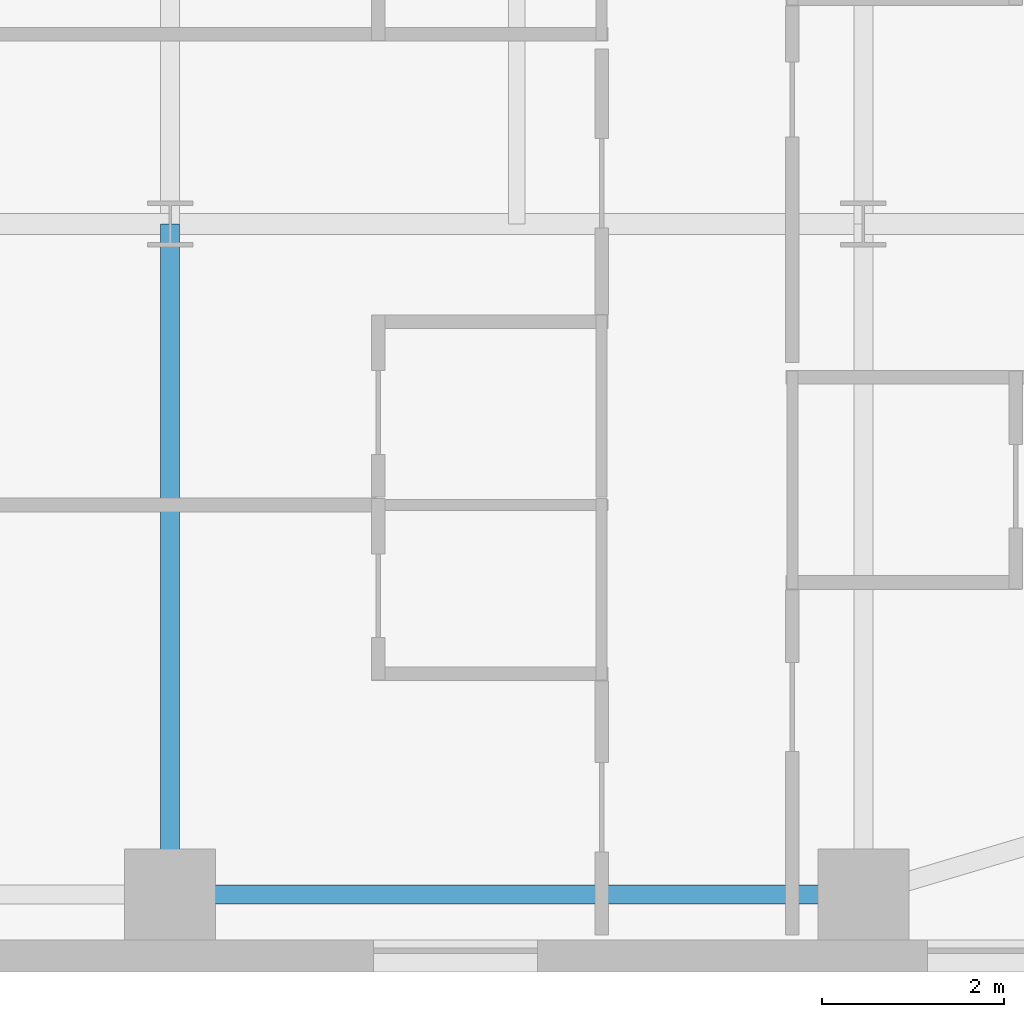
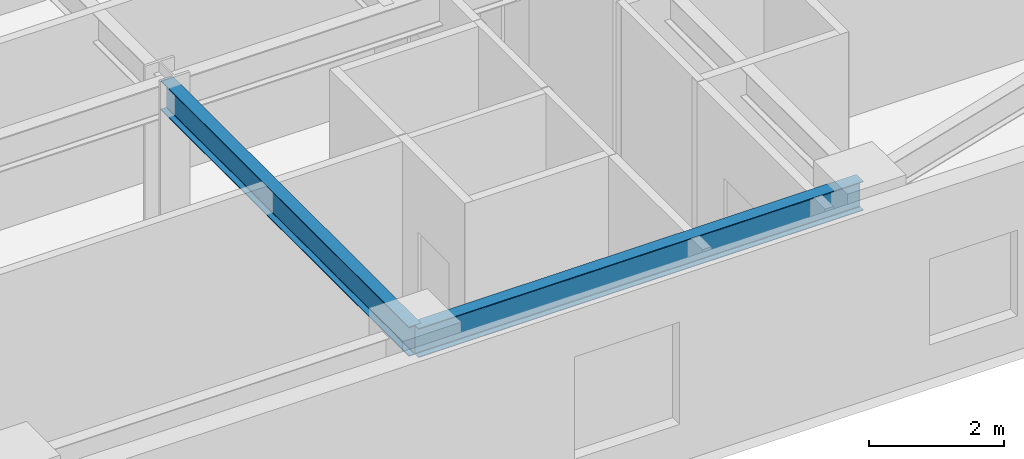
# One storey, part 6 of 17: 2 beams.
"""IFC4 building model written with IfcOpenShell, lengths in metres."""

from ifc_helpers import new_model, si_unit, direction, frame, origin, origin_2d, place, context, subcontext, project, spatial, i_section, extrude, source, transform, mapped, material, material_profile, profile_set, type_object, type_shapes, element, save


model = new_model("IFC4")

# Units and contexts
model_context = context("Model", 3, precision=1e-05, world=origin(), true_north=direction((0.0, 1.0)))
body_context = subcontext(model_context, "Body", "Model", "MODEL_VIEW")
ifc_project = project(units=[si_unit("LENGTHUNIT", "METRE"), si_unit("AREAUNIT", "SQUARE_METRE"), si_unit("VOLUMEUNIT", "CUBIC_METRE"), si_unit("PLANEANGLEUNIT", "RADIAN"), si_unit("MASSUNIT", "GRAM", prefix="KILO")], contexts=[model_context])

# Site, building, storey
site_placement = place(None, origin())
site = spatial("IfcSite", under=ifc_project, at=site_placement, CompositionType="ELEMENT")
building_placement = place(site_placement, origin())
building = spatial("IfcBuilding", under=site, at=building_placement, Name="Tolvann Quenvar Hotel", CompositionType="ELEMENT")
storey_placement = place(building_placement, frame((0.0, 0.0, 49.75)))
storey = spatial("IfcBuildingStorey", under=building, at=storey_placement, Name="L11", CompositionType="ELEMENT", Elevation=49.75)

# Beams
ifc_material = material(Name="Steel Grade 350", Category="steel")
ifc_material_profile_1 = material_profile(ifc_material, i_section(OverallWidth=0.208984375, OverallDepth=0.528076171875, WebThickness=0.009521484375, FlangeThickness=0.01318359375, FilletRadius=0.013916015625, at=origin_2d()), Name="530UB82")
ifc_profile_set_1 = profile_set([ifc_material_profile_1], Name="Steel Grade 350")
beam_type_1 = type_object("IfcBeamType", Name="BM_SPAND_530UB82", PredefinedType="SPANDREL", material=ifc_profile_set_1)
shared_shape_1 = source(origin(), body_context, "Body", "SweptSolid", [
    extrude(i_section(OverallWidth=0.208984375, OverallDepth=0.528076171875, WebThickness=0.009521484375, FlangeThickness=0.01318359375, FilletRadius=0.013916015625, at=origin_2d()), origin(), (0.0, 0.0, 1.0), 7.599853515625),
])
type_shapes(beam_type_1, [shared_shape_1])
beam_1_placement = place(storey_placement, frame((41.800048828125, 0.85009765625, 3.10595703125), z_axis=(1.0, 0.0, 0.0), x_axis=(0.0, 1.0, 0.0)))
element("IfcBeam", 1, at=beam_1_placement, inside=storey, type_object=beam_type_1, Name="BM-L11-EW-2-H2-I2", PredefinedType="SPANDREL", context=body_context, shape_type="MappedRepresentation", body=[
    mapped(shared_shape_1, transform((0.0, 0.0, 0.0), x_axis=(1.0, 0.0, 0.0), y_axis=(0.0, 1.0, 0.0), z_axis=(0.0, 0.0, 1.0), scale=1.0)),
])
ifc_material_profile_2 = material_profile(ifc_material, i_section(OverallWidth=0.208984375, OverallDepth=0.532958984375, WebThickness=0.01025390625, FlangeThickness=0.015625, FilletRadius=0.013916015625, at=origin_2d()), Name="530UB92")
ifc_profile_set_2 = profile_set([ifc_material_profile_2], Name="Steel Grade 350")
beam_type_2 = type_object("IfcBeamType", Name="BM_GIRD_530UB92", PredefinedType="BEAM", material=ifc_profile_set_2)
shared_shape_2 = source(origin(), body_context, "Body", "SweptSolid", [
    extrude(i_section(OverallWidth=0.208984375, OverallDepth=0.532958984375, WebThickness=0.01025390625, FlangeThickness=0.015625, FilletRadius=0.013916015625, at=origin_2d()), origin(), (0.0, 0.0, 1.0), 7.349853515625),
])
type_shapes(beam_type_2, [shared_shape_2])
beam_2_placement = place(storey_placement, frame((41.800048828125, 0.85009765625, 3.103515625), z_axis=(0.0, 1.0, 0.0), x_axis=(-1.0, 0.0, 0.0)))
element("IfcBeam", 2, at=beam_2_placement, inside=storey, type_object=beam_type_2, Name="BM-L11-NS-H2-H3", PredefinedType="BEAM", context=body_context, shape_type="MappedRepresentation", body=[
    mapped(shared_shape_2, transform((0.0, 0.0, 0.0), x_axis=(1.0, 0.0, 0.0), y_axis=(0.0, 1.0, 0.0), z_axis=(0.0, 0.0, 1.0), scale=1.0)),
])

save(model, "model.ifc")
